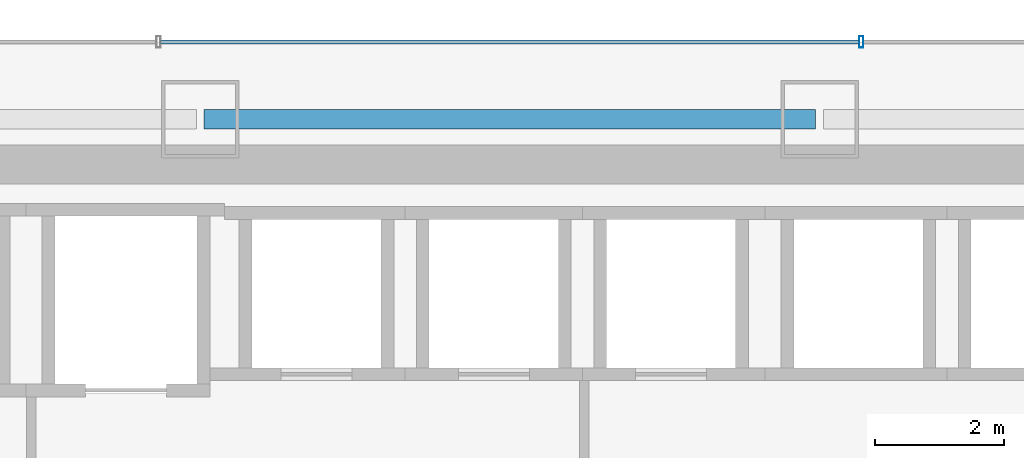
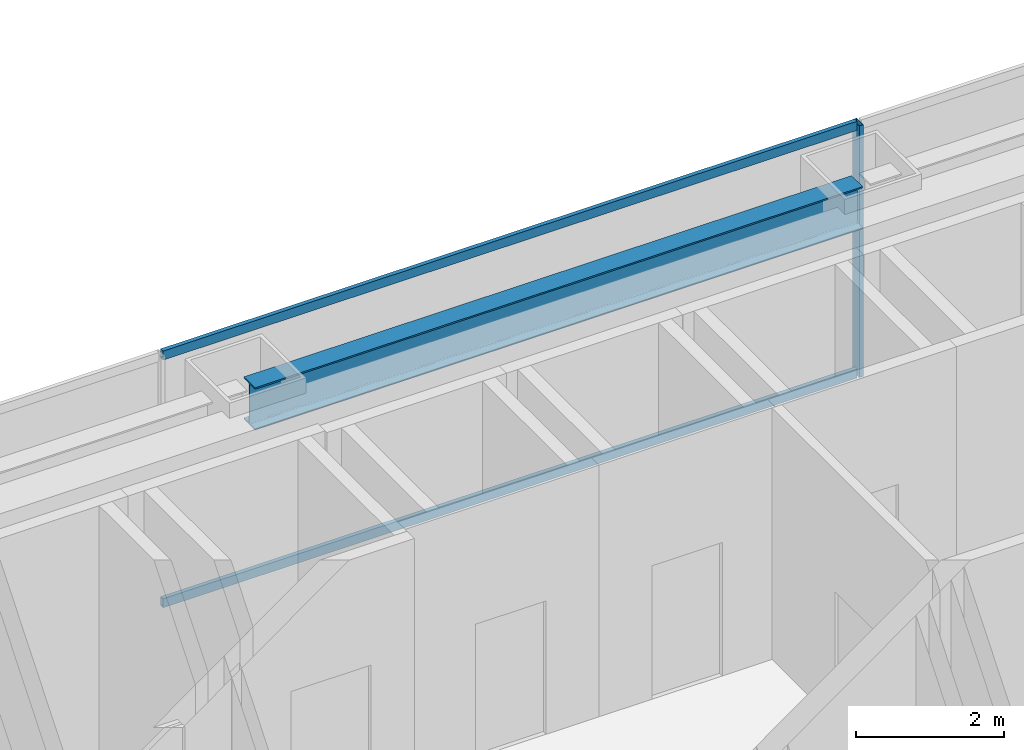
# One storey, part 28 of 49: 3 members, 1 beam, 1 element without a shape of its own.
"""IFC4 building model written with IfcOpenShell, lengths in metres."""

from ifc_helpers import new_model, si_unit, direction, frame, origin, origin_2d, place, context, subcontext, project, spatial, hollow_rectangle, i_section, extrude, material, material_profile, profile_set, type_object, element, aggregate, save


model = new_model("IFC4")

# Units and contexts
model_context = context("Model", 3, precision=1e-05, world=origin(), true_north=direction((0.0, 1.0)))
body_context = subcontext(model_context, "Body", "Model", "MODEL_VIEW")
ifc_project = project(units=[si_unit("LENGTHUNIT", "METRE"), si_unit("AREAUNIT", "SQUARE_METRE"), si_unit("VOLUMEUNIT", "CUBIC_METRE"), si_unit("PLANEANGLEUNIT", "RADIAN"), si_unit("MASSUNIT", "GRAM", prefix="KILO")], contexts=[model_context])

# Site, building, storey
site_placement = place(None, origin())
site = spatial("IfcSite", under=ifc_project, at=site_placement, CompositionType="ELEMENT")
building_placement = place(site_placement, origin())
building = spatial("IfcBuilding", under=site, at=building_placement, Name="Saevonmaru Cultural Tower", CompositionType="ELEMENT")
storey_placement = place(building_placement, frame((0.0, 0.0, 73.60009765625)))
storey = spatial("IfcBuildingStorey", under=building, at=storey_placement, Name="L15", CompositionType="ELEMENT", Elevation=73.60009765625)

# Beam
ifc_material_1 = material(Name="Steel SM355", Category="steel")
ifc_material_profile_1 = material_profile(ifc_material_1, i_section(OverallWidth=0.300048828125, OverallDepth=0.699951171875, WebThickness=0.012939453125, FlangeThickness=0.02392578125, FilletRadius=0.02587890625, at=origin_2d()), Name="H-700x300x13x24")
ifc_profile_set_1 = profile_set([ifc_material_profile_1], Name="Steel SM355")
beam_type = type_object("IfcBeamType", Name="BM-SP-H700", PredefinedType="SPANDREL", material=ifc_profile_set_1)
beam_placement = place(storey_placement, frame((25.260009765625, 54.800048828125, 3.7998046875), z_axis=(1.0, 0.0, 0.0), x_axis=(0.0, 1.0, 0.0)))
element("IfcBeam", 1, at=beam_placement, inside=storey, type_object=beam_type, Name="L15 North Spine Girder 3", PredefinedType="SPANDREL", context=body_context, shape_type="SweptSolid", body=[
    extrude(i_section(OverallWidth=0.300048828125, OverallDepth=0.699951171875, WebThickness=0.012939453125, FlangeThickness=0.02392578125, FilletRadius=0.02587890625, at=origin_2d()), origin(), (0.0, 0.0, 1.0), 9.47998046875),
])

# Curtain wall, members
ifc_material_2 = material(Name="Satin Bronze Anodised Aluminium", Category="aluminium")
curtain_wall_type = type_object("IfcCurtainWallType", Name="CW-TYP-A", PredefinedType="NOTDEFINED", material=ifc_material_2)
curtain_wall_placement = place(storey_placement, origin())
curtain_wall = element("IfcCurtainWall", 2, at=curtain_wall_placement, inside=storey, type_object=curtain_wall_type, Name="L15 North Spine Unitised Curtain Wall E10B", PredefinedType="NOTDEFINED")
ifc_material_profile_2 = material_profile(ifc_material_2, hollow_rectangle(XDim=0.06494140625, YDim=0.179931640625, WallThickness=0.00390625, at=origin_2d()), Name="ALU-MULL-180x65x4")
ifc_profile_set_2 = profile_set([ifc_material_profile_2], Name="Satin Bronze Anodised Aluminium")
member_type_1 = type_object("IfcMemberType", Name="ML-CW-180x65", PredefinedType="MULLION", material=ifc_profile_set_2)
member_1_placement = place(storey_placement, frame((35.44677734375, 56.0, 0.0), z_axis=(0.0, 0.0, 1.0), x_axis=(-1.0, 0.0, 0.0)))
member_1 = element("IfcMember", 3, at=member_1_placement, type_object=member_type_1, Name="CW-TW-L15-E10B mullion 2", PredefinedType="MULLION", context=body_context, shape_type="SweptSolid", body=[
    extrude(hollow_rectangle(XDim=0.06494140625, YDim=0.179931640625, WallThickness=0.00390625, at=origin_2d()), origin(), (0.0, 0.0, 1.0), 4.14990234375),
])
ifc_material_profile_3 = material_profile(ifc_material_2, hollow_rectangle(XDim=0.06494140625, YDim=0.14990234375, WallThickness=0.00390625, at=origin_2d()), Name="ALU-TRAN-150x65x4")
ifc_profile_set_3 = profile_set([ifc_material_profile_3], Name="Satin Bronze Anodised Aluminium")
member_type_2 = type_object("IfcMemberType", Name="TR-CW-150x65", PredefinedType="USERDEFINED", material=ifc_profile_set_3)
member_2_placement = place(storey_placement, frame((35.4140625, 56.0, 0.032470703125), z_axis=(-1.0, 0.0, 0.0), x_axis=(0.0, -1.0, 0.0)))
member_2 = element("IfcMember", 4, at=member_2_placement, type_object=member_type_2, Name="CW-TW-L15-E10B transom 2.1", ObjectType="TRANSOM", PredefinedType="USERDEFINED", context=body_context, shape_type="SweptSolid", body=[
    extrude(hollow_rectangle(XDim=0.06494140625, YDim=0.14990234375, WallThickness=0.00390625, at=origin_2d()), origin(), (0.0, 0.0, 1.0), 10.828125),
])
member_3_placement = place(storey_placement, frame((35.4140625, 56.0, 4.117431640625), z_axis=(-1.0, 0.0, 0.0), x_axis=(0.0, -1.0, 0.0)))
member_3 = element("IfcMember", 5, at=member_3_placement, type_object=member_type_2, Name="CW-TW-L15-E10B transom 2.2", ObjectType="TRANSOM", PredefinedType="USERDEFINED", context=body_context, shape_type="SweptSolid", body=[
    extrude(hollow_rectangle(XDim=0.06494140625, YDim=0.14990234375, WallThickness=0.00390625, at=origin_2d()), origin(), (0.0, 0.0, 1.0), 10.828125),
])
aggregate(curtain_wall, [member_1, member_2, member_3])

save(model, "model.ifc")
